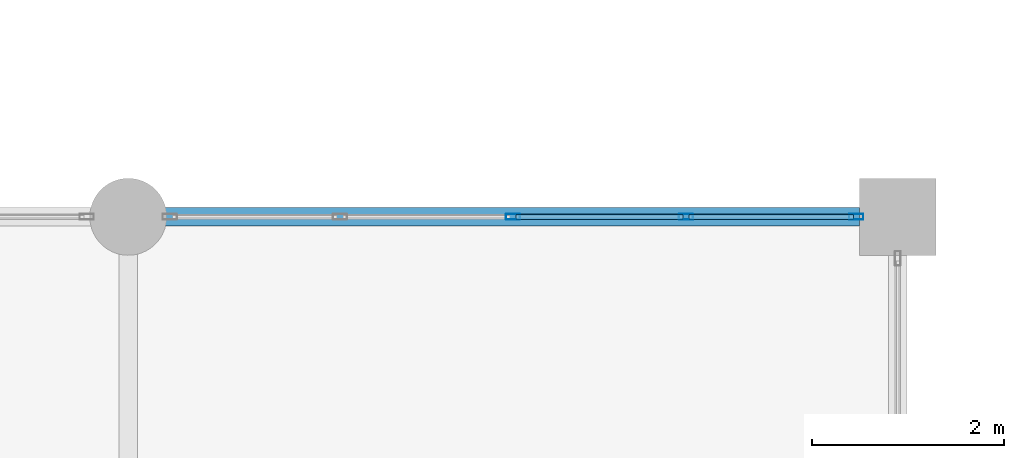
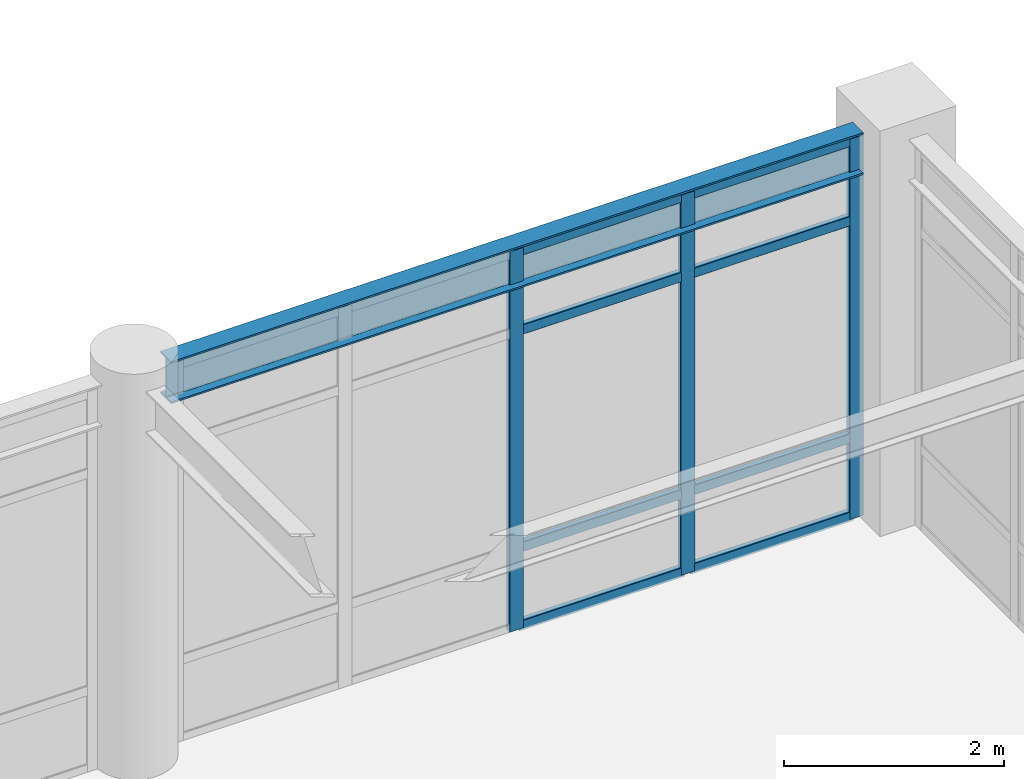
# One storey, part 51 of 78: 11 members, 1 beam, 1 element without a shape of its own.
"""IFC4 building model written with IfcOpenShell, lengths in metres."""

import ifcopenshell
import ifcopenshell.guid

model = None  # the IFC model being written
_history = None  # IfcOwnerHistory: only IFC2X3 demands one
_inside = {}  # id of a spatial element -> (the spatial element, [elements in it])
_under = {}  # id of a project, library or spatial element -> (it, [spatial elements below it])
_declared = {}  # id of a project -> (the project, [libraries it declares])
_typed = {}  # id of a type object -> (the type object, [elements of that type])
_made_of = {}  # id of a material, layer set ... -> (it, [elements and type objects made of it])


def new_model(schema):
    """Start an empty IFC model of exactly this schema.

    Asked for "IFC4X3", IfcOpenShell would pick the latest addendum, in which some entities
    have other attributes; the version numbers below select the first issue.
    IFC2X3 requires an IfcOwnerHistory on every rooted entity: one is made here for all.
    """
    global model, _history
    if schema == "IFC4X3":
        model = ifcopenshell.file(schema_version=(4, 3, 0, 0))
    else:
        model = ifcopenshell.file(schema=schema)
    _inside.clear()
    _under.clear()
    _declared.clear()
    _typed.clear()
    _made_of.clear()
    _history = None
    if model.schema == "IFC2X3":
        org = make("IfcOrganization", Name="unknown")
        user = make(
            "IfcPersonAndOrganization",
            ThePerson=make("IfcPerson", FamilyName="unknown"),
            TheOrganization=org,
        )
        app = make(
            "IfcApplication",
            ApplicationDeveloper=org,
            Version="unknown",
            ApplicationFullName="unknown",
            ApplicationIdentifier="unknown",
        )
        _history = make(
            "IfcOwnerHistory",
            OwningUser=user,
            OwningApplication=app,
            ChangeAction="ADDED",
            CreationDate=0,
        )
    return model


def make(cls, **values):
    """One entity of the class cls with the attributes given. An attribute that is None is left unset."""
    return model.create_entity(
        cls, **{name: value for name, value in values.items() if value is not None}
    )


def rooted(cls, **values):
    """An entity with a GlobalId (a new one), such as an element, a storey or a relation."""
    return make(cls, GlobalId=ifcopenshell.guid.new(), OwnerHistory=_history, **values)


def si_unit(unit_type, name, prefix=None):
    """IfcSIUnit, for example si_unit("LENGTHUNIT", "METRE", prefix="MILLI")."""
    return make("IfcSIUnit", UnitType=unit_type, Prefix=prefix, Name=name)


def assignment(units):
    """IfcUnitAssignment: the units of a project."""
    return None if units is None else make("IfcUnitAssignment", Units=units)


def point(xyz):
    """IfcCartesianPoint."""
    return None if xyz is None else make("IfcCartesianPoint", Coordinates=xyz)


def direction(xyz):
    """IfcDirection."""
    return None if xyz is None else make("IfcDirection", DirectionRatios=xyz)


def frame(location, z_axis=None, x_axis=None):
    """IfcAxis2Placement3D, a coordinate frame: its origin and axes. An axis left out is left unset."""
    return make(
        "IfcAxis2Placement3D",
        Location=point(location),
        Axis=direction(z_axis),
        RefDirection=direction(x_axis),
    )


def frame_2d(location, x_axis=None):
    """IfcAxis2Placement2D, a coordinate frame in the plane: its origin and x axis."""
    return make(
        "IfcAxis2Placement2D", Location=point(location), RefDirection=direction(x_axis)
    )


def origin():
    """The frame at (0, 0, 0) with its axes left unset."""
    return frame((0.0, 0.0, 0.0))


def origin_2d():
    """The frame at (0, 0) in the plane with its x axis left unset."""
    return frame_2d((0.0, 0.0))


def place(relative_to, where):
    """IfcLocalPlacement: puts the frame where relative to a parent placement (None: the world)."""
    return make(
        "IfcLocalPlacement", PlacementRelTo=relative_to, RelativePlacement=where
    )


def context(
    kind, dimensions, precision=None, world=None, true_north=None, identifier=None
):
    """IfcGeometricRepresentationContext, for example the 3D "Model" context."""
    return make(
        "IfcGeometricRepresentationContext",
        ContextIdentifier=identifier,
        ContextType=kind,
        CoordinateSpaceDimension=dimensions,
        Precision=precision,
        WorldCoordinateSystem=world,
        TrueNorth=true_north,
    )


def subcontext(parent, identifier, kind, view, scale=None):
    """IfcGeometricRepresentationSubContext, for example "Body" below "Model"."""
    return make(
        "IfcGeometricRepresentationSubContext",
        ContextIdentifier=identifier,
        ContextType=kind,
        ParentContext=parent,
        TargetScale=scale,
        TargetView=view,
    )


def project(units=None, contexts=None):
    """IfcProject with its units and contexts."""
    return rooted(
        "IfcProject",
        Name="project",
        RepresentationContexts=contexts,
        UnitsInContext=assignment(units),
    )


def spatial(cls, under=None, at=None, **own):
    """A site, building, storey or space (cls), placed at a placement, below another one or the project."""
    s = rooted(cls, ObjectPlacement=at, **own)
    if under is not None:
        _under.setdefault(under.id(), (under, []))[1].append(s)
    return s


def profile(cls, at=None, kind="AREA", **sizes):
    """A parametric profile (cls). Its sizes go by their IFC names, for example OverallWidth=200.0."""
    return make(cls, ProfileType=kind, Position=at, **sizes)


def hollow_rectangle(**sizes):
    """IfcRectangleHollowProfileDef."""
    return profile("IfcRectangleHollowProfileDef", **sizes)


def i_section(**sizes):
    """IfcIShapeProfileDef."""
    return profile("IfcIShapeProfileDef", **sizes)


def extrude(swept, where, along, depth):
    """IfcExtrudedAreaSolid: the profile swept, set in the frame where, extruded along a direction by depth."""
    return make(
        "IfcExtrudedAreaSolid",
        SweptArea=swept,
        Position=where,
        ExtrudedDirection=direction(along),
        Depth=depth,
    )


def shape(context_of_items, identifier, shape_type, items):
    """IfcShapeRepresentation: the items that make up one representation, for example the "Body"."""
    return make(
        "IfcShapeRepresentation",
        ContextOfItems=context_of_items,
        RepresentationIdentifier=identifier,
        RepresentationType=shape_type,
        Items=items,
    )


def material(Name=None, Category=None):
    """IfcMaterial."""
    return make("IfcMaterial", Name=Name, Category=Category)


def material_profile(
    of_material, cross_section, Name=None, Category=None, Priority=None
):
    """IfcMaterialProfile: a cross section and its material."""
    return make(
        "IfcMaterialProfile",
        Name=Name,
        Material=of_material,
        Profile=cross_section,
        Priority=Priority,
        Category=Category,
    )


def profile_set(profiles, Name=None, composite=None):
    """IfcMaterialProfileSet."""
    return make(
        "IfcMaterialProfileSet",
        Name=Name,
        MaterialProfiles=profiles,
        CompositeProfile=composite,
    )


def made_of(thing, what):
    """Note that an element or type object is made of a material, layer set ...; save() writes the relation."""
    if what is not None:
        _made_of.setdefault(what.id(), (what, []))[1].append(thing)
    return thing


def type_object(cls, material=None, **own):
    """A type object (cls), such as IfcWallType, which elements share."""
    return made_of(rooted(cls, **own), material)


def element(
    cls,
    number,
    at=None,
    inside=None,
    cuts=None,
    type_object=None,
    material=None,
    context=None,
    identifier="Body",
    shape_type=None,
    held_by="IfcProductDefinitionShape",
    body=None,
    shapes=None,
    **own,
):
    """One element of the class cls, such as IfcWall. Its Tag is "e" and its number.

    at: its placement. inside: the storey or other place that contains it. cuts: it is an
    opening in that element (IfcRelVoidsElement). A single representation is given by context,
    identifier, shape_type and body (its items); several are given by shapes. held_by: the class
    of the entity that holds the representations. save() writes the other relations.
    """
    e = rooted(cls, Tag="e%d" % number, ObjectPlacement=at, **own)
    if body is not None:
        shapes = [shape(context, identifier, shape_type, body)]
    if shapes is not None:
        e.Representation = make(held_by, Representations=shapes)
    if inside is not None:
        _inside.setdefault(inside.id(), (inside, []))[1].append(e)
    if cuts is not None:
        rooted(
            "IfcRelVoidsElement", RelatingBuildingElement=cuts, RelatedOpeningElement=e
        )
    if type_object is not None:
        _typed.setdefault(type_object.id(), (type_object, []))[1].append(e)
    return made_of(e, material)


def aggregate(whole, parts):
    """IfcRelAggregates: a whole, such as a stair, and the parts it consists of."""
    return rooted("IfcRelAggregates", RelatingObject=whole, RelatedObjects=parts)


def save(model, path):
    """Write the relations noted so far, then the file.

    IfcRelAggregates (storeys below a building ...), IfcRelContainedInSpatialStructure (elements
    in a storey), IfcRelDefinesByType, IfcRelAssociatesMaterial and IfcRelDeclares: one each for
    every whole, place, type object, material and project.
    """
    for whole, parts in _under.values():
        aggregate(whole, parts)
    for where, things in _inside.values():
        rooted(
            "IfcRelContainedInSpatialStructure",
            RelatedElements=things,
            RelatingStructure=where,
        )
    for kind, things in _typed.values():
        rooted("IfcRelDefinesByType", RelatedObjects=things, RelatingType=kind)
    for what, things in _made_of.values():
        rooted("IfcRelAssociatesMaterial", RelatedObjects=things, RelatingMaterial=what)
    for by, libraries in _declared.values():
        rooted("IfcRelDeclares", RelatingContext=by, RelatedDefinitions=libraries)
    model.write(path)


model = new_model("IFC4")

# Units and contexts
model_context = context("Model", 3, precision=1e-05, world=origin(), true_north=direction((0.0, 1.0)))
body_context = subcontext(model_context, "Body", "Model", "MODEL_VIEW")
ifc_project = project(units=[si_unit("LENGTHUNIT", "METRE"), si_unit("AREAUNIT", "SQUARE_METRE"), si_unit("VOLUMEUNIT", "CUBIC_METRE"), si_unit("PLANEANGLEUNIT", "RADIAN"), si_unit("MASSUNIT", "GRAM", prefix="KILO")], contexts=[model_context])

# Site, building, storey
site_placement = place(None, origin())
site = spatial("IfcSite", under=ifc_project, at=site_placement, CompositionType="ELEMENT")
building_placement = place(site_placement, origin())
building = spatial("IfcBuilding", under=site, at=building_placement, Name="Solmirada Galleria", CompositionType="ELEMENT")
storey_placement = place(building_placement, frame((0.0, 0.0, 23.89990234375)))
storey = spatial("IfcBuildingStorey", under=building, at=storey_placement, Name="L05", CompositionType="ELEMENT", Elevation=23.89990234375)

# Beam
ifc_material_1 = material(Name="Steel S355 / ASTM A992 Grade 50", Category="steel")
ifc_material_profile_1 = material_profile(ifc_material_1, i_section(OverallWidth=0.193115234375, OverallDepth=0.466064453125, WebThickness=0.011474609375, FlangeThickness=0.01904296875, FilletRadius=0.013916015625, at=origin_2d()), Name="W18X65")
ifc_profile_set_1 = profile_set([ifc_material_profile_1], Name="Steel S355 / ASTM A992 Grade 50")
beam_type = type_object("IfcBeamType", Name="BM-GIRD-W18C", PredefinedType="BEAM", material=ifc_profile_set_1)
beam_placement = place(storey_placement, frame((104.3359375, 72.0, 4.067138671875), z_axis=(1.0, 0.0, 0.0), x_axis=(0.0, 1.0, 0.0)))
element("IfcBeam", 1, at=beam_placement, inside=storey, type_object=beam_type, Name="Primary beam L06 X(104..112, 72)", PredefinedType="BEAM", context=body_context, shape_type="SweptSolid", body=[
    extrude(i_section(OverallWidth=0.193115234375, OverallDepth=0.466064453125, WebThickness=0.011474609375, FlangeThickness=0.01904296875, FilletRadius=0.013916015625, at=origin_2d()), origin(), (0.0, 0.0, 1.0), 7.26416015625),
])

# Curtain wall, members
ifc_material_2 = material(Name="Impact-resistant low-E double glazing", Category="glass")
curtain_wall_type = type_object("IfcCurtainWallType", Name="CW-FZ3-L05-B4-L072", PredefinedType="NOTDEFINED", material=ifc_material_2)
curtain_wall_placement = place(storey_placement, origin())
curtain_wall = element("IfcCurtainWall", 2, at=curtain_wall_placement, inside=storey, type_object=curtain_wall_type, Name="Terrace and arcade storefront CW-L05-175", PredefinedType="NOTDEFINED")
ifc_material_3 = material(Name="Anodised aluminium framing", Category="aluminium")
ifc_material_profile_2 = material_profile(ifc_material_3, hollow_rectangle(XDim=0.06005859375, YDim=0.14990234375, WallThickness=0.00341796875, InnerFilletRadius=0.00341796875, OuterFilletRadius=0.007080078125, at=origin_2d()), Name="ALU-MULL-150X60")
ifc_profile_set_2 = profile_set([ifc_material_profile_2], Name="Anodised aluminium framing")
member_type_1 = type_object("IfcMemberType", Name="CW-MULL-150", PredefinedType="MULLION", material=ifc_profile_set_2)
member_1_placement = place(storey_placement, frame((108.0, 72.0, 0.0), z_axis=(0.0, 0.0, 1.0), x_axis=(0.0, 1.0, 0.0)))
member_1 = element("IfcMember", 3, at=member_1_placement, type_object=member_type_1, Name="CW33 mullion 3", PredefinedType="MULLION", context=body_context, shape_type="SweptSolid", body=[
    extrude(hollow_rectangle(XDim=0.06005859375, YDim=0.14990234375, WallThickness=0.00341796875, InnerFilletRadius=0.00341796875, OuterFilletRadius=0.007080078125, at=origin_2d()), origin(), (0.0, 0.0, 1.0), 4.22021484375),
])
member_2_placement = place(storey_placement, frame((109.799072265625, 72.0, 0.0), z_axis=(0.0, 0.0, 1.0), x_axis=(0.0, 1.0, 0.0)))
member_2 = element("IfcMember", 4, at=member_2_placement, type_object=member_type_1, Name="CW33 mullion 4", PredefinedType="MULLION", context=body_context, shape_type="SweptSolid", body=[
    extrude(hollow_rectangle(XDim=0.06005859375, YDim=0.14990234375, WallThickness=0.00341796875, InnerFilletRadius=0.00341796875, OuterFilletRadius=0.007080078125, at=origin_2d()), origin(), (0.0, 0.0, 1.0), 4.22021484375),
])
member_3_placement = place(storey_placement, frame((111.568115234375, 72.0, 0.0), z_axis=(0.0, 0.0, 1.0), x_axis=(0.0, 1.0, 0.0)))
member_3 = element("IfcMember", 5, at=member_3_placement, type_object=member_type_1, Name="CW33 mullion 5", PredefinedType="MULLION", context=body_context, shape_type="SweptSolid", body=[
    extrude(hollow_rectangle(XDim=0.06005859375, YDim=0.14990234375, WallThickness=0.00341796875, InnerFilletRadius=0.00341796875, OuterFilletRadius=0.007080078125, at=origin_2d()), origin(), (0.0, 0.0, 1.0), 4.22021484375),
])
ifc_material_profile_3 = material_profile(ifc_material_3, hollow_rectangle(XDim=0.06005859375, YDim=0.110107421875, WallThickness=0.003173828125, InnerFilletRadius=0.003173828125, OuterFilletRadius=0.00634765625, at=origin_2d()), Name="ALU-TRAN-110X60")
ifc_profile_set_3 = profile_set([ifc_material_profile_3], Name="Anodised aluminium framing")
member_type_2 = type_object("IfcMemberType", Name="CW-TRAN-110", PredefinedType="USERDEFINED", material=ifc_profile_set_3)
member_4_placement = place(storey_placement, frame((108.030029296875, 72.0, 0.030029296875), z_axis=(1.0, 0.0, 0.0), x_axis=(0.0, 1.0, 0.0)))
member_4 = element("IfcMember", 6, at=member_4_placement, type_object=member_type_2, Name="CW33 transom 3.1", ObjectType="TRANSOM", PredefinedType="USERDEFINED", context=body_context, shape_type="SweptSolid", body=[
    extrude(hollow_rectangle(XDim=0.06005859375, YDim=0.110107421875, WallThickness=0.003173828125, InnerFilletRadius=0.003173828125, OuterFilletRadius=0.00634765625, at=origin_2d()), origin(), (0.0, 0.0, 1.0), 1.739013671875),
])
member_5_placement = place(storey_placement, frame((108.030029296875, 72.0, 0.900146484375), z_axis=(1.0, 0.0, 0.0), x_axis=(0.0, 1.0, 0.0)))
member_5 = element("IfcMember", 7, at=member_5_placement, type_object=member_type_2, Name="CW33 transom 3.2", ObjectType="TRANSOM", PredefinedType="USERDEFINED", context=body_context, shape_type="SweptSolid", body=[
    extrude(hollow_rectangle(XDim=0.06005859375, YDim=0.110107421875, WallThickness=0.003173828125, InnerFilletRadius=0.003173828125, OuterFilletRadius=0.00634765625, at=origin_2d()), origin(), (0.0, 0.0, 1.0), 1.739013671875),
])
member_6_placement = place(storey_placement, frame((108.030029296875, 72.0, 3.31005859375), z_axis=(1.0, 0.0, 0.0), x_axis=(0.0, 1.0, 0.0)))
member_6 = element("IfcMember", 8, at=member_6_placement, type_object=member_type_2, Name="CW33 transom 3.3", ObjectType="TRANSOM", PredefinedType="USERDEFINED", context=body_context, shape_type="SweptSolid", body=[
    extrude(hollow_rectangle(XDim=0.06005859375, YDim=0.110107421875, WallThickness=0.003173828125, InnerFilletRadius=0.003173828125, OuterFilletRadius=0.00634765625, at=origin_2d()), origin(), (0.0, 0.0, 1.0), 1.739013671875),
])
member_7_placement = place(storey_placement, frame((108.030029296875, 72.0, 4.190185546875), z_axis=(1.0, 0.0, 0.0), x_axis=(0.0, 1.0, 0.0)))
member_7 = element("IfcMember", 9, at=member_7_placement, type_object=member_type_2, Name="CW33 transom 3.4", ObjectType="TRANSOM", PredefinedType="USERDEFINED", context=body_context, shape_type="SweptSolid", body=[
    extrude(hollow_rectangle(XDim=0.06005859375, YDim=0.110107421875, WallThickness=0.003173828125, InnerFilletRadius=0.003173828125, OuterFilletRadius=0.00634765625, at=origin_2d()), origin(), (0.0, 0.0, 1.0), 1.739013671875),
])
member_8_placement = place(storey_placement, frame((109.8291015625, 72.0, 0.030029296875), z_axis=(1.0, 0.0, 0.0), x_axis=(0.0, 1.0, 0.0)))
member_8 = element("IfcMember", 10, at=member_8_placement, type_object=member_type_2, Name="CW33 transom 4.1", ObjectType="TRANSOM", PredefinedType="USERDEFINED", context=body_context, shape_type="SweptSolid", body=[
    extrude(hollow_rectangle(XDim=0.06005859375, YDim=0.110107421875, WallThickness=0.003173828125, InnerFilletRadius=0.003173828125, OuterFilletRadius=0.00634765625, at=origin_2d()), origin(), (0.0, 0.0, 1.0), 1.708984375),
])
member_9_placement = place(storey_placement, frame((109.8291015625, 72.0, 0.900146484375), z_axis=(1.0, 0.0, 0.0), x_axis=(0.0, 1.0, 0.0)))
member_9 = element("IfcMember", 11, at=member_9_placement, type_object=member_type_2, Name="CW33 transom 4.2", ObjectType="TRANSOM", PredefinedType="USERDEFINED", context=body_context, shape_type="SweptSolid", body=[
    extrude(hollow_rectangle(XDim=0.06005859375, YDim=0.110107421875, WallThickness=0.003173828125, InnerFilletRadius=0.003173828125, OuterFilletRadius=0.00634765625, at=origin_2d()), origin(), (0.0, 0.0, 1.0), 1.708984375),
])
member_10_placement = place(storey_placement, frame((109.8291015625, 72.0, 3.31005859375), z_axis=(1.0, 0.0, 0.0), x_axis=(0.0, 1.0, 0.0)))
member_10 = element("IfcMember", 12, at=member_10_placement, type_object=member_type_2, Name="CW33 transom 4.3", ObjectType="TRANSOM", PredefinedType="USERDEFINED", context=body_context, shape_type="SweptSolid", body=[
    extrude(hollow_rectangle(XDim=0.06005859375, YDim=0.110107421875, WallThickness=0.003173828125, InnerFilletRadius=0.003173828125, OuterFilletRadius=0.00634765625, at=origin_2d()), origin(), (0.0, 0.0, 1.0), 1.708984375),
])
member_11_placement = place(storey_placement, frame((109.8291015625, 72.0, 4.190185546875), z_axis=(1.0, 0.0, 0.0), x_axis=(0.0, 1.0, 0.0)))
member_11 = element("IfcMember", 13, at=member_11_placement, type_object=member_type_2, Name="CW33 transom 4.4", ObjectType="TRANSOM", PredefinedType="USERDEFINED", context=body_context, shape_type="SweptSolid", body=[
    extrude(hollow_rectangle(XDim=0.06005859375, YDim=0.110107421875, WallThickness=0.003173828125, InnerFilletRadius=0.003173828125, OuterFilletRadius=0.00634765625, at=origin_2d()), origin(), (0.0, 0.0, 1.0), 1.708984375),
])
aggregate(curtain_wall, [member_1, member_2, member_3, member_4, member_5, member_6, member_7, member_8, member_9, member_10, member_11])

save(model, "model.ifc")
